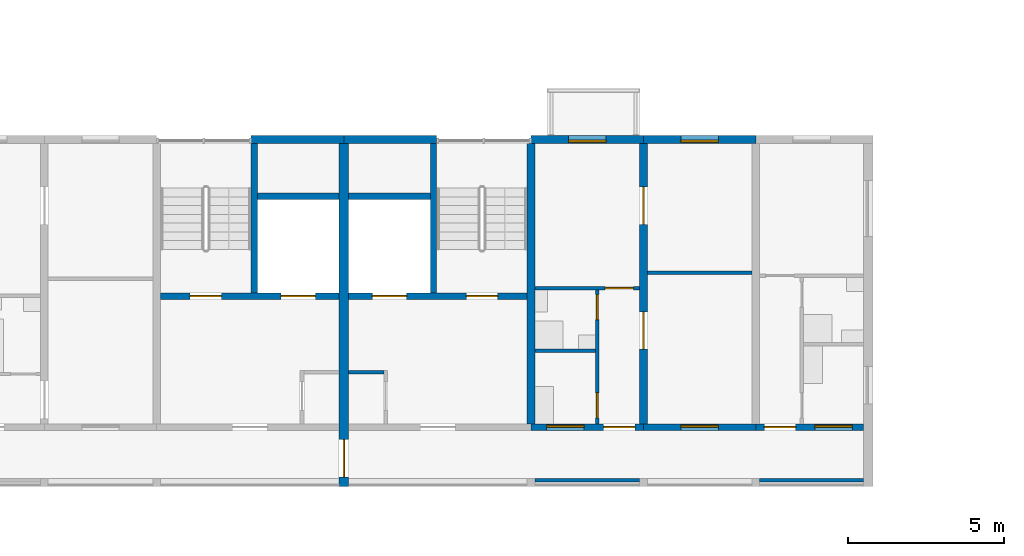
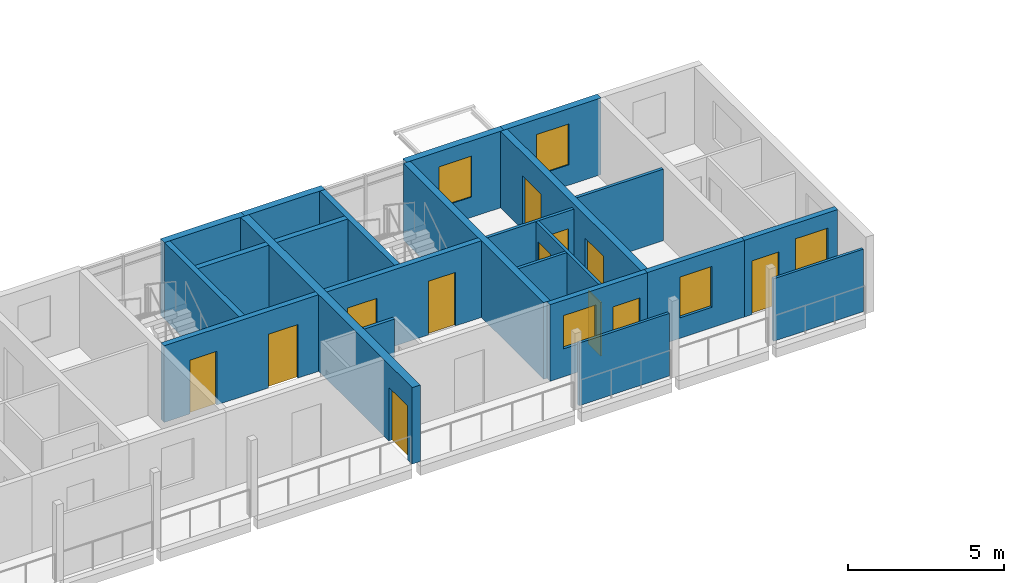
# One storey, part 40 of 100: 23 walls, 12 doors, 5 windows, 17 openings.
"""IFC4 building model written with IfcOpenShell, lengths in metres."""

from ifc_helpers import new_model, si_unit, direction, frame, frame_2d, origin, place, context, subcontext, project, spatial, rectangle, extrude, material, layer, layer_set, type_object, element, fill, save


model = new_model("IFC4")

# Units and contexts
model_context = context("Model", 3, precision=1e-05, world=origin(), true_north=direction((0.0, 1.0)))
body_context = subcontext(model_context, "Body", "Model", "MODEL_VIEW")
ifc_project = project(units=[si_unit("LENGTHUNIT", "METRE"), si_unit("AREAUNIT", "SQUARE_METRE"), si_unit("VOLUMEUNIT", "CUBIC_METRE"), si_unit("PLANEANGLEUNIT", "RADIAN"), si_unit("MASSUNIT", "GRAM", prefix="KILO")], contexts=[model_context])

# Site, building, storey
site_placement = place(None, origin())
site = spatial("IfcSite", under=ifc_project, at=site_placement, CompositionType="ELEMENT")
building_placement = place(site_placement, origin())
building = spatial("IfcBuilding", under=site, at=building_placement, Name="Ridgestep Commons", CompositionType="ELEMENT")
storey_placement = place(building_placement, frame((0.0, 0.0, 9.0)))
storey = spatial("IfcBuildingStorey", under=building, at=storey_placement, Name="L03", CompositionType="ELEMENT", Elevation=9.0)

# Walls
ifc_material_1 = material(Name="Concrete C30/37", Category="concrete")
ifc_layer_1 = layer(ifc_material_1, 0.25)
ifc_layer_set_1 = layer_set([ifc_layer_1], Name="Core cross wall 250")
wall_type_1 = type_object("IfcWallType", Name="Core cross wall 250", PredefinedType="SHEAR", material=ifc_layer_set_1)
wall_1_placement = place(storey_placement, frame((102.0, 13.75, 0.0), z_axis=(0.0, 0.0, 1.0), x_axis=(0.0, 1.0, 0.0)))
element("IfcWall", 1, at=wall_1_placement, inside=storey, type_object=wall_type_1, Name="Cross wall A-03-1020", PredefinedType="SHEAR", context=body_context, shape_type="SweptSolid", body=[
    extrude(rectangle(XDim=9.0, YDim=0.25, at=frame_2d((4.5, 0.0))), origin(), (0.0, 0.0, 1.0), 3.0),
])
ifc_material_2 = material(Name="Concrete C30/37", Category="concrete")
ifc_layer_2 = layer(ifc_material_2, 0.1201171875)
ifc_layer_set_2 = layer_set([ifc_layer_2], Name="Core wall 120")
wall_type_2 = type_object("IfcWallType", Name="Core wall 120", PredefinedType="SHEAR", material=ifc_layer_set_2)
wall_2_placement = place(storey_placement, frame((96.14990234375, 15.409912109375, 0.0), z_axis=(0.0, 0.0, 1.0), x_axis=(1.0, 0.0, 0.0)))
element("IfcWall", 2, at=wall_2_placement, inside=storey, type_object=wall_type_2, Name="Core riser n wall A6C L03", PredefinedType="SHEAR", context=body_context, shape_type="SweptSolid", body=[
    extrude(rectangle(XDim=1.130126953125, YDim=0.1201171875, at=frame_2d((0.56494140625, 0.0))), origin(), (0.0, 0.0, 1.0), 3.0),
])

# Wall, openings, doors
ifc_material_3 = material(Name="Concrete C30/37", Category="concrete")
ifc_layer_3 = layer(ifc_material_3, 0.199951171875)
ifc_layer_set_3 = layer_set([ifc_layer_3], Name="Core wall 200")
wall_type_3 = type_object("IfcWallType", Name="Core wall 200", PredefinedType="SHEAR", material=ifc_layer_set_3)
wall_3_placement = place(storey_placement, frame((90.125, 17.85009765625, 0.0), z_axis=(0.0, 0.0, 1.0), x_axis=(1.0, 0.0, 0.0)))
wall_3 = element("IfcWall", 3, at=wall_3_placement, inside=storey, type_object=wall_type_3, Name="Core lobby wall A5C L03", PredefinedType="SHEAR", context=body_context, shape_type="SweptSolid", body=[
    extrude(rectangle(XDim=5.72509765625, YDim=0.199951171875, at=frame_2d((2.862548828125, 0.0))), origin(), (0.0, 0.0, 1.0), 3.0),
])
opening_1_placement = place(wall_3_placement, frame((0.949951171875, 0.0, 0.0)))
opening_1 = element("IfcOpeningElement", 4, at=opening_1_placement, cuts=wall_3, Name="Opening A5C/03/2", PredefinedType="OPENING", context=body_context, shape_type="SweptSolid", body=[
    extrude(rectangle(XDim=1.0, YDim=2.10009765625, at=frame_2d((0.5, 1.050048828125))), frame((0.0, 0.10986328125, 0.0), z_axis=(0.0, -1.0, 0.0), x_axis=(1.0, 0.0, 0.0)), (0.0, 0.0, 1.0), 0.219970703125),
])
opening_2_placement = place(wall_3_placement, frame((3.862548828125, 0.0, 0.0)))
opening_2 = element("IfcOpeningElement", 5, at=opening_2_placement, cuts=wall_3, Name="Opening A5C/03/3", PredefinedType="OPENING", context=body_context, shape_type="SweptSolid", body=[
    extrude(rectangle(XDim=1.10009765625, YDim=2.10009765625, at=frame_2d((0.550048828125, 1.050048828125))), frame((0.0, 0.10986328125, 0.0), z_axis=(0.0, -1.0, 0.0), x_axis=(1.0, 0.0, 0.0)), (0.0, 0.0, 1.0), 0.219970703125),
])
ifc_material_4 = material(Name="Stainless steel", Category="steel")
door_type_1 = type_object("IfcDoorType", Name="Lift landing door 1100 x 2100 FD60", OperationType="DOUBLE_DOOR_SLIDING", PredefinedType="DOOR", material=ifc_material_4)
door_1_placement = place(opening_2_placement, origin())
door_1 = element("IfcDoor", 6, at=door_1_placement, inside=storey, type_object=door_type_1, Name="Landing door LD A5C L03", OperationType="DOUBLE_DOOR_SLIDING", OverallHeight=2.10009765625, OverallWidth=1.10009765625, PredefinedType="DOOR", context=body_context, shape_type="SweptSolid", body=[
    extrude(rectangle(XDim=1.10009765625, YDim=2.10009765625, at=frame_2d((0.550048828125, 1.050048828125))), frame((0.0, 0.02490234375, 0.0), z_axis=(0.0, -1.0, 0.0), x_axis=(1.0, 0.0, 0.0)), (0.0, 0.0, 1.0), 0.050048828125),
])
fill(opening_2, door_1)
ifc_material_5 = material(Name="Steel fire door", Category="steel")
door_type_2 = type_object("IfcDoorType", Name="Stair door 1000 x 2100 FD60", OperationType="NOTDEFINED", PredefinedType="DOOR", material=ifc_material_5)
door_2_placement = place(opening_1_placement, origin())
door_2 = element("IfcDoor", 7, at=door_2_placement, inside=storey, type_object=door_type_2, Name="Stair door A5C/03/2", OperationType="SINGLE_SWING_RIGHT", OverallHeight=2.10009765625, OverallWidth=1.0, PredefinedType="DOOR", context=body_context, shape_type="SweptSolid", body=[
    extrude(rectangle(XDim=1.0, YDim=2.10009765625, at=frame_2d((0.5, 1.050048828125))), frame((0.0, 0.02490234375, 0.0), z_axis=(0.0, -1.0, 0.0), x_axis=(1.0, 0.0, 0.0)), (0.0, 0.0, 1.0), 0.050048828125),
])
fill(opening_1, door_2)

# Walls
wall_4_placement = place(storey_placement, frame((93.125, 17.949951171875, 0.0), z_axis=(0.0, 0.0, 1.0), x_axis=(0.0, 1.0, 0.0)))
element("IfcWall", 8, at=wall_4_placement, inside=storey, type_object=wall_type_3, Name="Core stair wall A5C L03", PredefinedType="SHEAR", context=body_context, shape_type="SweptSolid", body=[
    extrude(rectangle(XDim=4.800048828125, YDim=0.199951171875, at=frame_2d((2.39990234375, 0.0))), origin(), (0.0, 0.0, 1.0), 3.0),
])
wall_5_placement = place(storey_placement, frame((93.22509765625, 21.050048828125, 0.0), z_axis=(0.0, 0.0, 1.0), x_axis=(1.0, 0.0, 0.0)))
element("IfcWall", 9, at=wall_5_placement, inside=storey, type_object=wall_type_3, Name="Core duct wall A5C L03", PredefinedType="SHEAR", context=body_context, shape_type="SweptSolid", body=[
    extrude(rectangle(XDim=2.625, YDim=0.199951171875, at=frame_2d((1.3125, 0.0))), origin(), (0.0, 0.0, 1.0), 3.0),
])

# Wall, openings, doors
wall_6_placement = place(storey_placement, frame((96.14990234375, 17.85009765625, 0.0), z_axis=(0.0, 0.0, 1.0), x_axis=(1.0, 0.0, 0.0)))
wall_6 = element("IfcWall", 10, at=wall_6_placement, inside=storey, type_object=wall_type_3, Name="Core lobby wall A6C L03", PredefinedType="SHEAR", context=body_context, shape_type="SweptSolid", body=[
    extrude(rectangle(XDim=5.72509765625, YDim=0.199951171875, at=frame_2d((2.862548828125, 0.0))), origin(), (0.0, 0.0, 1.0), 3.0),
])
opening_3_placement = place(wall_6_placement, frame((3.77490234375, 0.0, 0.0)))
opening_3 = element("IfcOpeningElement", 11, at=opening_3_placement, cuts=wall_6, Name="Opening A6C/03/2", PredefinedType="OPENING", context=body_context, shape_type="SweptSolid", body=[
    extrude(rectangle(XDim=1.0, YDim=2.10009765625, at=frame_2d((0.5, 1.050048828125))), frame((0.0, 0.10986328125, 0.0), z_axis=(0.0, -1.0, 0.0), x_axis=(1.0, 0.0, 0.0)), (0.0, 0.0, 1.0), 0.219970703125),
])
opening_4_placement = place(wall_6_placement, frame((0.762451171875, 0.0, 0.0)))
opening_4 = element("IfcOpeningElement", 12, at=opening_4_placement, cuts=wall_6, Name="Opening A6C/03/3", PredefinedType="OPENING", context=body_context, shape_type="SweptSolid", body=[
    extrude(rectangle(XDim=1.10009765625, YDim=2.10009765625, at=frame_2d((0.550048828125, 1.050048828125))), frame((0.0, 0.10986328125, 0.0), z_axis=(0.0, -1.0, 0.0), x_axis=(1.0, 0.0, 0.0)), (0.0, 0.0, 1.0), 0.219970703125),
])
door_3_placement = place(opening_4_placement, origin())
door_3 = element("IfcDoor", 13, at=door_3_placement, inside=storey, type_object=door_type_1, Name="Landing door LD A6C L03", OperationType="DOUBLE_DOOR_SLIDING", OverallHeight=2.10009765625, OverallWidth=1.10009765625, PredefinedType="DOOR", context=body_context, shape_type="SweptSolid", body=[
    extrude(rectangle(XDim=1.10009765625, YDim=2.10009765625, at=frame_2d((0.550048828125, 1.050048828125))), frame((0.0, 0.02490234375, 0.0), z_axis=(0.0, -1.0, 0.0), x_axis=(1.0, 0.0, 0.0)), (0.0, 0.0, 1.0), 0.050048828125),
])
fill(opening_4, door_3)
door_4_placement = place(opening_3_placement, origin())
door_4 = element("IfcDoor", 14, at=door_4_placement, inside=storey, type_object=door_type_2, Name="Stair door A6C/03/2", OperationType="SINGLE_SWING_RIGHT", OverallHeight=2.10009765625, OverallWidth=1.0, PredefinedType="DOOR", context=body_context, shape_type="SweptSolid", body=[
    extrude(rectangle(XDim=1.0, YDim=2.10009765625, at=frame_2d((0.5, 1.050048828125))), frame((0.0, 0.02490234375, 0.0), z_axis=(0.0, -1.0, 0.0), x_axis=(1.0, 0.0, 0.0)), (0.0, 0.0, 1.0), 0.050048828125),
])
fill(opening_3, door_4)

# Walls
wall_7_placement = place(storey_placement, frame((98.875, 17.949951171875, 0.0), z_axis=(0.0, 0.0, 1.0), x_axis=(0.0, 1.0, 0.0)))
element("IfcWall", 15, at=wall_7_placement, inside=storey, type_object=wall_type_3, Name="Core stair wall A6C L03", PredefinedType="SHEAR", context=body_context, shape_type="SweptSolid", body=[
    extrude(rectangle(XDim=4.800048828125, YDim=0.199951171875, at=frame_2d((2.39990234375, 0.0))), origin(), (0.0, 0.0, 1.0), 3.0),
])
wall_8_placement = place(storey_placement, frame((96.14990234375, 21.050048828125, 0.0), z_axis=(0.0, 0.0, 1.0), x_axis=(1.0, 0.0, 0.0)))
element("IfcWall", 16, at=wall_8_placement, inside=storey, type_object=wall_type_3, Name="Core duct wall A6C L03", PredefinedType="SHEAR", context=body_context, shape_type="SweptSolid", body=[
    extrude(rectangle(XDim=2.625, YDim=0.199951171875, at=frame_2d((1.3125, 0.0))), origin(), (0.0, 0.0, 1.0), 3.0),
])

# Wall, openings, doors
ifc_material_6 = material(Name="Precast concrete C40/50", Category="concrete")
ifc_layer_4 = layer(ifc_material_6, 0.25)
ifc_layer_set_4 = layer_set([ifc_layer_4], Name="Cross wall 250")
wall_type_4 = type_object("IfcWallType", Name="Cross wall 250", PredefinedType="SHEAR", material=ifc_layer_set_4)
wall_9_placement = place(storey_placement, frame((105.60009765625, 13.75, 0.0), z_axis=(0.0, 0.0, 1.0), x_axis=(0.0, 1.0, 0.0)))
wall_9 = element("IfcWall", 17, at=wall_9_placement, inside=storey, type_object=wall_type_4, Name="Cross wall A-03-1056", PredefinedType="SHEAR", context=body_context, shape_type="SweptSolid", body=[
    extrude(rectangle(XDim=9.0, YDim=0.25, at=frame_2d((4.5, 0.0))), origin(), (0.0, 0.0, 1.0), 3.0),
])
opening_5_placement = place(wall_9_placement, frame((2.39990234375, 0.0, 0.0)))
opening_5 = element("IfcOpeningElement", 18, at=opening_5_placement, cuts=wall_9, Name="Opening A6-03b/5", PredefinedType="OPENING", context=body_context, shape_type="SweptSolid", body=[
    extrude(rectangle(XDim=1.199951171875, YDim=2.10009765625, at=frame_2d((0.60009765625, 1.050048828125))), frame((0.0, 0.135009765625, 0.0), z_axis=(0.0, -1.0, 0.0), x_axis=(1.0, 0.0, 0.0)), (0.0, 0.0, 1.0), 0.27001953125),
])
opening_6_placement = place(wall_9_placement, frame((6.39990234375, 0.0, 0.0)))
opening_6 = element("IfcOpeningElement", 19, at=opening_6_placement, cuts=wall_9, Name="Opening A6-03b/6", PredefinedType="OPENING", context=body_context, shape_type="SweptSolid", body=[
    extrude(rectangle(XDim=1.199951171875, YDim=2.10009765625, at=frame_2d((0.60009765625, 1.050048828125))), frame((0.0, 0.135009765625, 0.0), z_axis=(0.0, -1.0, 0.0), x_axis=(1.0, 0.0, 0.0)), (0.0, 0.0, 1.0), 0.27001953125),
])
ifc_material_7 = material(Name="Timber door leaf", Category="wood")
door_type_3 = type_object("IfcDoorType", Name="Double door 1200 x 2100", OperationType="DOUBLE_DOOR_SINGLE_SWING", PredefinedType="DOOR", material=ifc_material_7)
door_5_placement = place(opening_5_placement, origin())
door_5 = element("IfcDoor", 20, at=door_5_placement, inside=storey, type_object=door_type_3, Name="Double door A6-03b/5", OperationType="DOUBLE_DOOR_SINGLE_SWING", OverallHeight=2.10009765625, OverallWidth=1.199951171875, PredefinedType="DOOR", context=body_context, shape_type="SweptSolid", body=[
    extrude(rectangle(XDim=1.199951171875, YDim=2.10009765625, at=frame_2d((0.60009765625, 1.050048828125))), frame((0.0, 0.02490234375, 0.0), z_axis=(0.0, -1.0, 0.0), x_axis=(1.0, 0.0, 0.0)), (0.0, 0.0, 1.0), 0.050048828125),
])
fill(opening_5, door_5)
door_6_placement = place(opening_6_placement, origin())
door_6 = element("IfcDoor", 21, at=door_6_placement, inside=storey, type_object=door_type_3, Name="Double door A6-03b/6", OperationType="DOUBLE_DOOR_SINGLE_SWING", OverallHeight=2.10009765625, OverallWidth=1.199951171875, PredefinedType="DOOR", context=body_context, shape_type="SweptSolid", body=[
    extrude(rectangle(XDim=1.199951171875, YDim=2.10009765625, at=frame_2d((0.60009765625, 1.050048828125))), frame((0.0, 0.02490234375, 0.0), z_axis=(0.0, -1.0, 0.0), x_axis=(1.0, 0.0, 0.0)), (0.0, 0.0, 1.0), 0.050048828125),
])
fill(opening_6, door_6)

# Wall, opening, door
ifc_material_8 = material(Name="Precast concrete C40/50", Category="concrete")
ifc_layer_5 = layer(ifc_material_8, 0.300048828125)
ifc_layer_set_5 = layer_set([ifc_layer_5], Name="Division wall 300")
wall_type_5 = type_object("IfcWallType", Name="Division wall 300", PredefinedType="SHEAR", material=ifc_layer_set_5)
wall_10_placement = place(storey_placement, frame((96.0, 11.75, 0.0), z_axis=(0.0, 0.0, 1.0), x_axis=(0.0, 1.0, 0.0)))
wall_10 = element("IfcWall", 22, at=wall_10_placement, inside=storey, type_object=wall_type_5, Name="Cross wall A-03-0960", PredefinedType="SHEAR", context=body_context, shape_type="SweptSolid", body=[
    extrude(rectangle(XDim=11.0, YDim=0.300048828125, at=frame_2d((5.5, 0.0))), origin(), (0.0, 0.0, 1.0), 3.0),
])
opening_7_placement = place(wall_10_placement, frame((0.300048828125, 0.0, 0.0)))
opening_7 = element("IfcOpeningElement", 23, at=opening_7_placement, cuts=wall_10, Name="Opening A/03/G0960", PredefinedType="OPENING", context=body_context, shape_type="SweptSolid", body=[
    extrude(rectangle(XDim=1.199951171875, YDim=2.10009765625, at=frame_2d((0.60009765625, 1.050048828125))), frame((0.0, 0.159912109375, 0.0), z_axis=(0.0, -1.0, 0.0), x_axis=(1.0, 0.0, 0.0)), (0.0, 0.0, 1.0), 0.320068359375),
])
ifc_material_9 = material(Name="Steel fire door", Category="steel")
door_type_4 = type_object("IfcDoorType", Name="Division fire door 1200 x 2100 EI 240", OperationType="DOUBLE_DOOR_SINGLE_SWING", PredefinedType="DOOR", material=ifc_material_9)
door_7_placement = place(opening_7_placement, origin())
door_7 = element("IfcDoor", 24, at=door_7_placement, inside=storey, type_object=door_type_4, Name="Division fire door A/03/G0960", OperationType="DOUBLE_DOOR_SINGLE_SWING", OverallHeight=2.10009765625, OverallWidth=1.199951171875, PredefinedType="DOOR", context=body_context, shape_type="SweptSolid", body=[
    extrude(rectangle(XDim=1.199951171875, YDim=2.10009765625, at=frame_2d((0.60009765625, 1.050048828125))), frame((0.0, 0.02490234375, 0.0), z_axis=(0.0, -1.0, 0.0), x_axis=(1.0, 0.0, 0.0)), (0.0, 0.0, 1.0), 0.050048828125),
])
fill(opening_7, door_7)

# Walls
ifc_material_10 = material(Name="Precast concrete C40/50", Category="concrete")
ifc_layer_6 = layer(ifc_material_10, 0.25)
ifc_layer_set_6 = layer_set([ifc_layer_6], Name="North facade panel 250")
wall_type_6 = type_object("IfcWallType", Name="North facade panel 250", PredefinedType="SOLIDWALL", material=ifc_layer_set_6)
for number, where, z_axis, x_axis, name in (
    (25, (93.02490234375, 22.875, 0.0), (0.0, 0.0, 1.0), (1.0, 0.0, 0.0), "North panel A5C L03"),
    (26, (96.0, 22.875, 0.0), (0.0, 0.0, 1.0), (1.0, 0.0, 0.0), "North panel A6C L03"),
):
    element("IfcWall", number, at=place(storey_placement, frame(where, z_axis=z_axis, x_axis=x_axis)), inside=storey, type_object=wall_type_6, Name=name, PredefinedType="SOLIDWALL", context=body_context, shape_type="SweptSolid", body=[
        extrude(rectangle(XDim=2.97509765625, YDim=0.25, at=frame_2d((1.487548828125, 0.0))), origin(), (0.0, 0.0, 1.0), 3.0),
    ])

# Wall, opening, window
wall_11_placement = place(storey_placement, frame((102.0, 22.875, 0.0), z_axis=(0.0, 0.0, 1.0), x_axis=(1.0, 0.0, 0.0)))
wall_11 = element("IfcWall", 27, at=wall_11_placement, inside=storey, type_object=wall_type_6, Name="North panel A6T3 L03", PredefinedType="SOLIDWALL", context=body_context, shape_type="SweptSolid", body=[
    extrude(rectangle(XDim=3.60009765625, YDim=0.25, at=frame_2d((1.800048828125, 0.0))), origin(), (0.0, 0.0, 1.0), 3.0),
])
opening_8_placement = place(wall_11_placement, frame((1.199951171875, 0.0, 0.800048828125)))
opening_8 = element("IfcOpeningElement", 28, at=opening_8_placement, cuts=wall_11, Name="Opening W11", PredefinedType="OPENING", context=body_context, shape_type="SweptSolid", body=[
    extrude(rectangle(XDim=1.199951171875, YDim=1.60009765625, at=frame_2d((0.60009765625, 0.800048828125))), frame((0.0, 0.135009765625, 0.0), z_axis=(0.0, -1.0, 0.0), x_axis=(1.0, 0.0, 0.0)), (0.0, 0.0, 1.0), 0.27001953125),
])
ifc_material_11 = material(Name="Aluminium 6063-T6 and glass", Category="aluminium")
window_type_1 = type_object("IfcWindowType", Name="Flat window 1200 x 1600", PartitioningType="SINGLE_PANEL", PredefinedType="WINDOW", material=ifc_material_11)
window_1_placement = place(opening_8_placement, origin())
window_1 = element("IfcWindow", 29, at=window_1_placement, inside=storey, type_object=window_type_1, Name="Window A6-03b 4", OverallHeight=1.60009765625, OverallWidth=1.199951171875, PartitioningType="SINGLE_PANEL", PredefinedType="WINDOW", context=body_context, shape_type="SweptSolid", body=[
    extrude(rectangle(XDim=1.199951171875, YDim=1.60009765625, at=frame_2d((0.60009765625, 0.800048828125))), frame((0.0, -0.02490234375, 0.0), z_axis=(0.0, -1.0, 0.0), x_axis=(1.0, 0.0, 0.0)), (0.0, 0.0, 1.0), 0.06005859375),
])
fill(opening_8, window_1)

wall_12_placement = place(storey_placement, frame((105.60009765625, 22.875, 0.0), z_axis=(0.0, 0.0, 1.0), x_axis=(1.0, 0.0, 0.0)))
wall_12 = element("IfcWall", 30, at=wall_12_placement, inside=storey, type_object=wall_type_6, Name="North panel A6T2 L03", PredefinedType="SOLIDWALL", context=body_context, shape_type="SweptSolid", body=[
    extrude(rectangle(XDim=3.599853515625, YDim=0.25, at=frame_2d((1.7998046875, 0.0))), origin(), (0.0, 0.0, 1.0), 3.0),
])
opening_9_placement = place(wall_12_placement, frame((1.199951171875, 0.0, 0.800048828125)))
opening_9 = element("IfcOpeningElement", 31, at=opening_9_placement, cuts=wall_12, Name="Opening W11", PredefinedType="OPENING", context=body_context, shape_type="SweptSolid", body=[
    extrude(rectangle(XDim=1.199951171875, YDim=1.60009765625, at=frame_2d((0.60009765625, 0.800048828125))), frame((0.0, 0.135009765625, 0.0), z_axis=(0.0, -1.0, 0.0), x_axis=(1.0, 0.0, 0.0)), (0.0, 0.0, 1.0), 0.27001953125),
])
window_2_placement = place(opening_9_placement, origin())
window_2 = element("IfcWindow", 32, at=window_2_placement, inside=storey, type_object=window_type_1, Name="Window A6-03b 2", OverallHeight=1.60009765625, OverallWidth=1.199951171875, PartitioningType="SINGLE_PANEL", PredefinedType="WINDOW", context=body_context, shape_type="SweptSolid", body=[
    extrude(rectangle(XDim=1.199951171875, YDim=1.60009765625, at=frame_2d((0.60009765625, 0.800048828125))), frame((0.0, -0.02490234375, 0.0), z_axis=(0.0, -1.0, 0.0), x_axis=(1.0, 0.0, 0.0)), (0.0, 0.0, 1.0), 0.06005859375),
])
fill(opening_9, window_2)

# Wall
ifc_material_12 = material(Name="Common brick 110 mm", Category="masonry")
ifc_layer_7 = layer(ifc_material_12, 0.110107421875)
ifc_layer_set_7 = layer_set([ifc_layer_7], Name="Partition 110")
wall_type_7 = type_object("IfcWallType", Name="Partition 110", PredefinedType="PARTITIONING", material=ifc_layer_set_7)
wall_13_placement = place(storey_placement, frame((102.125, 16.10498046875, 0.0), z_axis=(0.0, 0.0, 1.0), x_axis=(1.0, 0.0, 0.0)))
element("IfcWall", 33, at=wall_13_placement, inside=storey, type_object=wall_type_7, Name="Partition A6-03b", PredefinedType="PARTITIONING", context=body_context, shape_type="SweptSolid", body=[
    extrude(rectangle(XDim=1.93994140625, YDim=0.110107421875, at=frame_2d((0.969970703125, 0.0))), origin(), (0.0, 0.0, 1.0), 2.800048828125),
])

# Wall, openings, doors
wall_14_placement = place(storey_placement, frame((104.1201171875, 13.75, 0.0), z_axis=(0.0, 0.0, 1.0), x_axis=(0.0, 1.0, 0.0)))
wall_14 = element("IfcWall", 34, at=wall_14_placement, inside=storey, type_object=wall_type_7, Name="Partition A6-03b", PredefinedType="PARTITIONING", context=body_context, shape_type="SweptSolid", body=[
    extrude(rectangle(XDim=4.300048828125, YDim=0.110107421875, at=frame_2d((2.14990234375, 0.0))), origin(), (0.0, 0.0, 1.0), 2.800048828125),
])
opening_10_placement = place(wall_14_placement, frame((0.199951171875, 0.0, 0.0)))
opening_10 = element("IfcOpeningElement", 35, at=opening_10_placement, cuts=wall_14, Name="Opening A6-03b/2", PredefinedType="OPENING", context=body_context, shape_type="SweptSolid", body=[
    extrude(rectangle(XDim=0.800048828125, YDim=2.10009765625, at=frame_2d((0.39990234375, 1.050048828125))), frame((0.0, 0.06494140625, 0.0), z_axis=(0.0, -1.0, 0.0), x_axis=(1.0, 0.0, 0.0)), (0.0, 0.0, 1.0), 0.130126953125),
])
opening_11_placement = place(wall_14_placement, frame((3.35009765625, 0.0, 0.0)))
opening_11 = element("IfcOpeningElement", 36, at=opening_11_placement, cuts=wall_14, Name="Opening A6-03b/3", PredefinedType="OPENING", context=body_context, shape_type="SweptSolid", body=[
    extrude(rectangle(XDim=0.800048828125, YDim=2.10009765625, at=frame_2d((0.39990234375, 1.050048828125))), frame((0.0, 0.06494140625, 0.0), z_axis=(0.0, -1.0, 0.0), x_axis=(1.0, 0.0, 0.0)), (0.0, 0.0, 1.0), 0.130126953125),
])
ifc_material_13 = material(Name="Timber door leaf", Category="wood")
door_type_5 = type_object("IfcDoorType", Name="Internal door 800 x 2100", OperationType="NOTDEFINED", PredefinedType="DOOR", material=ifc_material_13)
door_8_placement = place(opening_10_placement, origin())
door_8 = element("IfcDoor", 37, at=door_8_placement, inside=storey, type_object=door_type_5, Name="Internal door A6-03b/2", OperationType="SINGLE_SWING_LEFT", OverallHeight=2.10009765625, OverallWidth=0.800048828125, PredefinedType="DOOR", context=body_context, shape_type="SweptSolid", body=[
    extrude(rectangle(XDim=0.800048828125, YDim=2.10009765625, at=frame_2d((0.39990234375, 1.050048828125))), frame((0.0, 0.02490234375, 0.0), z_axis=(0.0, -1.0, 0.0), x_axis=(1.0, 0.0, 0.0)), (0.0, 0.0, 1.0), 0.050048828125),
])
fill(opening_10, door_8)
door_9_placement = place(opening_11_placement, origin())
door_9 = element("IfcDoor", 38, at=door_9_placement, inside=storey, type_object=door_type_5, Name="Internal door A6-03b/3", OperationType="SINGLE_SWING_RIGHT", OverallHeight=2.10009765625, OverallWidth=0.800048828125, PredefinedType="DOOR", context=body_context, shape_type="SweptSolid", body=[
    extrude(rectangle(XDim=0.800048828125, YDim=2.10009765625, at=frame_2d((0.39990234375, 1.050048828125))), frame((0.0, 0.02490234375, 0.0), z_axis=(0.0, -1.0, 0.0), x_axis=(1.0, 0.0, 0.0)), (0.0, 0.0, 1.0), 0.050048828125),
])
fill(opening_11, door_9)

# Wall, opening, door
wall_15_placement = place(storey_placement, frame((102.125, 18.10498046875, 0.0), z_axis=(0.0, 0.0, 1.0), x_axis=(1.0, 0.0, 0.0)))
wall_15 = element("IfcWall", 39, at=wall_15_placement, inside=storey, type_object=wall_type_7, Name="Partition A6-03b", PredefinedType="PARTITIONING", context=body_context, shape_type="SweptSolid", body=[
    extrude(rectangle(XDim=3.35009765625, YDim=0.110107421875, at=frame_2d((1.675048828125, 0.0))), origin(), (0.0, 0.0, 1.0), 2.800048828125),
])
opening_12_placement = place(wall_15_placement, frame((2.25, 0.0, 0.0)))
opening_12 = element("IfcOpeningElement", 40, at=opening_12_placement, cuts=wall_15, Name="Opening A6-03b/4", PredefinedType="OPENING", context=body_context, shape_type="SweptSolid", body=[
    extrude(rectangle(XDim=0.89990234375, YDim=2.10009765625, at=frame_2d((0.449951171875, 1.050048828125))), frame((0.0, 0.06494140625, 0.0), z_axis=(0.0, -1.0, 0.0), x_axis=(1.0, 0.0, 0.0)), (0.0, 0.0, 1.0), 0.130126953125),
])
ifc_material_14 = material(Name="Timber door leaf", Category="wood")
door_type_6 = type_object("IfcDoorType", Name="Internal door 900 x 2100", OperationType="NOTDEFINED", PredefinedType="DOOR", material=ifc_material_14)
door_10_placement = place(opening_12_placement, origin())
door_10 = element("IfcDoor", 41, at=door_10_placement, inside=storey, type_object=door_type_6, Name="Internal door A6-03b/4", OperationType="SINGLE_SWING_LEFT", OverallHeight=2.10009765625, OverallWidth=0.89990234375, PredefinedType="DOOR", context=body_context, shape_type="SweptSolid", body=[
    extrude(rectangle(XDim=0.89990234375, YDim=2.10009765625, at=frame_2d((0.449951171875, 1.050048828125))), frame((0.0, 0.02490234375, 0.0), z_axis=(0.0, -1.0, 0.0), x_axis=(1.0, 0.0, 0.0)), (0.0, 0.0, 1.0), 0.050048828125),
])
fill(opening_12, door_10)

# Walls
wall_16_placement = place(storey_placement, frame((105.72509765625, 18.60498046875, 0.0), z_axis=(0.0, 0.0, 1.0), x_axis=(1.0, 0.0, 0.0)))
element("IfcWall", 42, at=wall_16_placement, inside=storey, type_object=wall_type_7, Name="Partition A6-03b", PredefinedType="PARTITIONING", context=body_context, shape_type="SweptSolid", body=[
    extrude(rectangle(XDim=3.349853515625, YDim=0.110107421875, at=frame_2d((1.6748046875, 0.0))), origin(), (0.0, 0.0, 1.0), 2.800048828125),
])
ifc_material_15 = material(Name="Precast concrete C30/37", Category="concrete")
ifc_layer_8 = layer(ifc_material_15, 0.10009765625)
ifc_layer_set_8 = layer_set([ifc_layer_8], Name="Perforated gallery screen 3325 x 2450 x 100")
wall_type_8 = type_object("IfcWallType", Name="Perforated gallery screen 3325 x 2450 x 100", PredefinedType="SOLIDWALL", material=ifc_layer_set_8)
wall_17_placement = place(storey_placement, frame((109.324951171875, 11.949951171875, 0.0), z_axis=(0.0, 0.0, 1.0), x_axis=(1.0, 0.0, 0.0)))
element("IfcWall", 43, at=wall_17_placement, inside=storey, type_object=wall_type_8, Name="Gallery screen A6T1 03", PredefinedType="SOLIDWALL", context=body_context, shape_type="SweptSolid", body=[
    extrude(rectangle(XDim=3.324951171875, YDim=0.10009765625, at=frame_2d((1.66259765625, 0.0))), origin(), (0.0, 0.0, 1.0), 2.449951171875),
])
ifc_material_16 = material(Name="Precast concrete C30/37", Category="concrete")
ifc_layer_9 = layer(ifc_material_16, 0.10009765625)
ifc_layer_set_9 = layer_set([ifc_layer_9], Name="Perforated gallery screen 3350 x 2450 x 100")
wall_type_9 = type_object("IfcWallType", Name="Perforated gallery screen 3350 x 2450 x 100", PredefinedType="SOLIDWALL", material=ifc_layer_set_9)
wall_18_placement = place(storey_placement, frame((102.125, 11.949951171875, 0.0), z_axis=(0.0, 0.0, 1.0), x_axis=(1.0, 0.0, 0.0)))
element("IfcWall", 44, at=wall_18_placement, inside=storey, type_object=wall_type_9, Name="Gallery screen A6T3 03", PredefinedType="SOLIDWALL", context=body_context, shape_type="SweptSolid", body=[
    extrude(rectangle(XDim=3.35009765625, YDim=0.10009765625, at=frame_2d((1.675048828125, 0.0))), origin(), (0.0, 0.0, 1.0), 2.449951171875),
])

# Wall, openings, door, window
ifc_material_17 = material(Name="Precast concrete C40/50", Category="concrete")
ifc_layer_10 = layer(ifc_material_17, 0.199951171875)
ifc_layer_set_10 = layer_set([ifc_layer_10], Name="South facade panel 200")
wall_type_10 = type_object("IfcWallType", Name="South facade panel 200", PredefinedType="SOLIDWALL", material=ifc_layer_set_10)
wall_19_placement = place(storey_placement, frame((102.0, 13.64990234375, 0.0), z_axis=(0.0, 0.0, 1.0), x_axis=(1.0, 0.0, 0.0)))
wall_19 = element("IfcWall", 45, at=wall_19_placement, inside=storey, type_object=wall_type_10, Name="South panel A6T3 L03", PredefinedType="SOLIDWALL", context=body_context, shape_type="SweptSolid", body=[
    extrude(rectangle(XDim=3.60009765625, YDim=0.199951171875, at=frame_2d((1.800048828125, 0.0))), origin(), (0.0, 0.0, 1.0), 3.0),
])
opening_13_placement = place(wall_19_placement, frame((0.4951171875, 0.0, 1.10009765625)))
opening_13 = element("IfcOpeningElement", 46, at=opening_13_placement, cuts=wall_19, Name="Opening W08", PredefinedType="OPENING", context=body_context, shape_type="SweptSolid", body=[
    extrude(rectangle(XDim=1.199951171875, YDim=1.300048828125, at=frame_2d((0.60009765625, 0.64990234375))), frame((0.0, 0.10986328125, 0.0), z_axis=(0.0, -1.0, 0.0), x_axis=(1.0, 0.0, 0.0)), (0.0, 0.0, 1.0), 0.219970703125),
])
opening_14_placement = place(wall_19_placement, frame((2.324951171875, 0.0, 0.0)))
opening_14 = element("IfcOpeningElement", 47, at=opening_14_placement, cuts=wall_19, Name="Opening A6-03b/1", PredefinedType="OPENING", context=body_context, shape_type="SweptSolid", body=[
    extrude(rectangle(XDim=1.0, YDim=2.10009765625, at=frame_2d((0.5, 1.050048828125))), frame((0.0, 0.10986328125, 0.0), z_axis=(0.0, -1.0, 0.0), x_axis=(1.0, 0.0, 0.0)), (0.0, 0.0, 1.0), 0.219970703125),
])
ifc_material_18 = material(Name="Timber door leaf", Category="wood")
door_type_7 = type_object("IfcDoorType", Name="Flat entrance door 1000 x 2100 FD30S", OperationType="NOTDEFINED", PredefinedType="DOOR", material=ifc_material_18)
door_11_placement = place(opening_14_placement, origin())
door_11 = element("IfcDoor", 48, at=door_11_placement, inside=storey, type_object=door_type_7, Name="Flat entrance door A6-03b/1", OperationType="SINGLE_SWING_RIGHT", OverallHeight=2.10009765625, OverallWidth=1.0, PredefinedType="DOOR", context=body_context, shape_type="SweptSolid", body=[
    extrude(rectangle(XDim=1.0, YDim=2.10009765625, at=frame_2d((0.5, 1.050048828125))), frame((0.0, 0.02490234375, 0.0), z_axis=(0.0, -1.0, 0.0), x_axis=(1.0, 0.0, 0.0)), (0.0, 0.0, 1.0), 0.050048828125),
])
fill(opening_14, door_11)
ifc_material_19 = material(Name="Aluminium 6063-T6 and glass", Category="aluminium")
window_type_2 = type_object("IfcWindowType", Name="Flat window 1200 x 1300", PartitioningType="SINGLE_PANEL", PredefinedType="WINDOW", material=ifc_material_19)
window_3_placement = place(opening_13_placement, origin())
window_3 = element("IfcWindow", 49, at=window_3_placement, inside=storey, type_object=window_type_2, Name="Window A6-03b 3", OverallHeight=1.300048828125, OverallWidth=1.199951171875, PartitioningType="SINGLE_PANEL", PredefinedType="WINDOW", context=body_context, shape_type="SweptSolid", body=[
    extrude(rectangle(XDim=1.199951171875, YDim=1.300048828125, at=frame_2d((0.60009765625, 0.64990234375))), frame((0.0, 0.06005859375, 0.0), z_axis=(0.0, -1.0, 0.0), x_axis=(1.0, 0.0, 0.0)), (0.0, 0.0, 1.0), 0.06005859375),
])
fill(opening_13, window_3)

# Wall, opening, window
wall_20_placement = place(storey_placement, frame((105.60009765625, 13.64990234375, 0.0), z_axis=(0.0, 0.0, 1.0), x_axis=(1.0, 0.0, 0.0)))
wall_20 = element("IfcWall", 50, at=wall_20_placement, inside=storey, type_object=wall_type_10, Name="South panel A6T2 L03", PredefinedType="SOLIDWALL", context=body_context, shape_type="SweptSolid", body=[
    extrude(rectangle(XDim=3.599853515625, YDim=0.199951171875, at=frame_2d((1.7998046875, 0.0))), origin(), (0.0, 0.0, 1.0), 3.0),
])
opening_15_placement = place(wall_20_placement, frame((1.199951171875, 0.0, 0.800048828125)))
opening_15 = element("IfcOpeningElement", 51, at=opening_15_placement, cuts=wall_20, Name="Opening W11", PredefinedType="OPENING", context=body_context, shape_type="SweptSolid", body=[
    extrude(rectangle(XDim=1.199951171875, YDim=1.60009765625, at=frame_2d((0.60009765625, 0.800048828125))), frame((0.0, 0.10986328125, 0.0), z_axis=(0.0, -1.0, 0.0), x_axis=(1.0, 0.0, 0.0)), (0.0, 0.0, 1.0), 0.219970703125),
])
window_4_placement = place(opening_15_placement, origin())
window_4 = element("IfcWindow", 52, at=window_4_placement, inside=storey, type_object=window_type_1, Name="Window A6-03b 1", OverallHeight=1.60009765625, OverallWidth=1.199951171875, PartitioningType="SINGLE_PANEL", PredefinedType="WINDOW", context=body_context, shape_type="SweptSolid", body=[
    extrude(rectangle(XDim=1.199951171875, YDim=1.60009765625, at=frame_2d((0.60009765625, 0.800048828125))), frame((0.0, 0.06005859375, 0.0), z_axis=(0.0, -1.0, 0.0), x_axis=(1.0, 0.0, 0.0)), (0.0, 0.0, 1.0), 0.06005859375),
])
fill(opening_15, window_4)

# Wall, openings, door, window
wall_21_placement = place(storey_placement, frame((109.199951171875, 13.64990234375, 0.0), z_axis=(0.0, 0.0, 1.0), x_axis=(1.0, 0.0, 0.0)))
wall_21 = element("IfcWall", 53, at=wall_21_placement, inside=storey, type_object=wall_type_10, Name="South panel A6T1 L03", PredefinedType="SOLIDWALL", context=body_context, shape_type="SweptSolid", body=[
    extrude(rectangle(XDim=3.449951171875, YDim=0.199951171875, at=frame_2d((1.72509765625, 0.0))), origin(), (0.0, 0.0, 1.0), 3.0),
])
opening_16_placement = place(wall_21_placement, frame((1.892578125, 0.0, 1.10009765625)))
opening_16 = element("IfcOpeningElement", 54, at=opening_16_placement, cuts=wall_21, Name="Opening W08", PredefinedType="OPENING", context=body_context, shape_type="SweptSolid", body=[
    extrude(rectangle(XDim=1.199951171875, YDim=1.300048828125, at=frame_2d((0.60009765625, 0.64990234375))), frame((0.0, 0.10986328125, 0.0), z_axis=(0.0, -1.0, 0.0), x_axis=(1.0, 0.0, 0.0)), (0.0, 0.0, 1.0), 0.219970703125),
])
opening_17_placement = place(wall_21_placement, frame((0.27490234375, 0.0, 0.0)))
opening_17 = element("IfcOpeningElement", 55, at=opening_17_placement, cuts=wall_21, Name="Opening A6-03a/1", PredefinedType="OPENING", context=body_context, shape_type="SweptSolid", body=[
    extrude(rectangle(XDim=1.0, YDim=2.10009765625, at=frame_2d((0.5, 1.050048828125))), frame((0.0, 0.10986328125, 0.0), z_axis=(0.0, -1.0, 0.0), x_axis=(1.0, 0.0, 0.0)), (0.0, 0.0, 1.0), 0.219970703125),
])
door_12_placement = place(opening_17_placement, origin())
door_12 = element("IfcDoor", 56, at=door_12_placement, inside=storey, type_object=door_type_7, Name="Flat entrance door A6-03a/1", OperationType="SINGLE_SWING_LEFT", OverallHeight=2.10009765625, OverallWidth=1.0, PredefinedType="DOOR", context=body_context, shape_type="SweptSolid", body=[
    extrude(rectangle(XDim=1.0, YDim=2.10009765625, at=frame_2d((0.5, 1.050048828125))), frame((0.0, 0.02490234375, 0.0), z_axis=(0.0, -1.0, 0.0), x_axis=(1.0, 0.0, 0.0)), (0.0, 0.0, 1.0), 0.050048828125),
])
fill(opening_17, door_12)
window_5_placement = place(opening_16_placement, origin())
window_5 = element("IfcWindow", 57, at=window_5_placement, inside=storey, type_object=window_type_2, Name="Window A6-03a 1", OverallHeight=1.300048828125, OverallWidth=1.199951171875, PartitioningType="SINGLE_PANEL", PredefinedType="WINDOW", context=body_context, shape_type="SweptSolid", body=[
    extrude(rectangle(XDim=1.199951171875, YDim=1.300048828125, at=frame_2d((0.60009765625, 0.64990234375))), frame((0.0, 0.06005859375, 0.0), z_axis=(0.0, -1.0, 0.0), x_axis=(1.0, 0.0, 0.0)), (0.0, 0.0, 1.0), 0.06005859375),
])
fill(opening_16, window_5)

save(model, "model.ifc")
